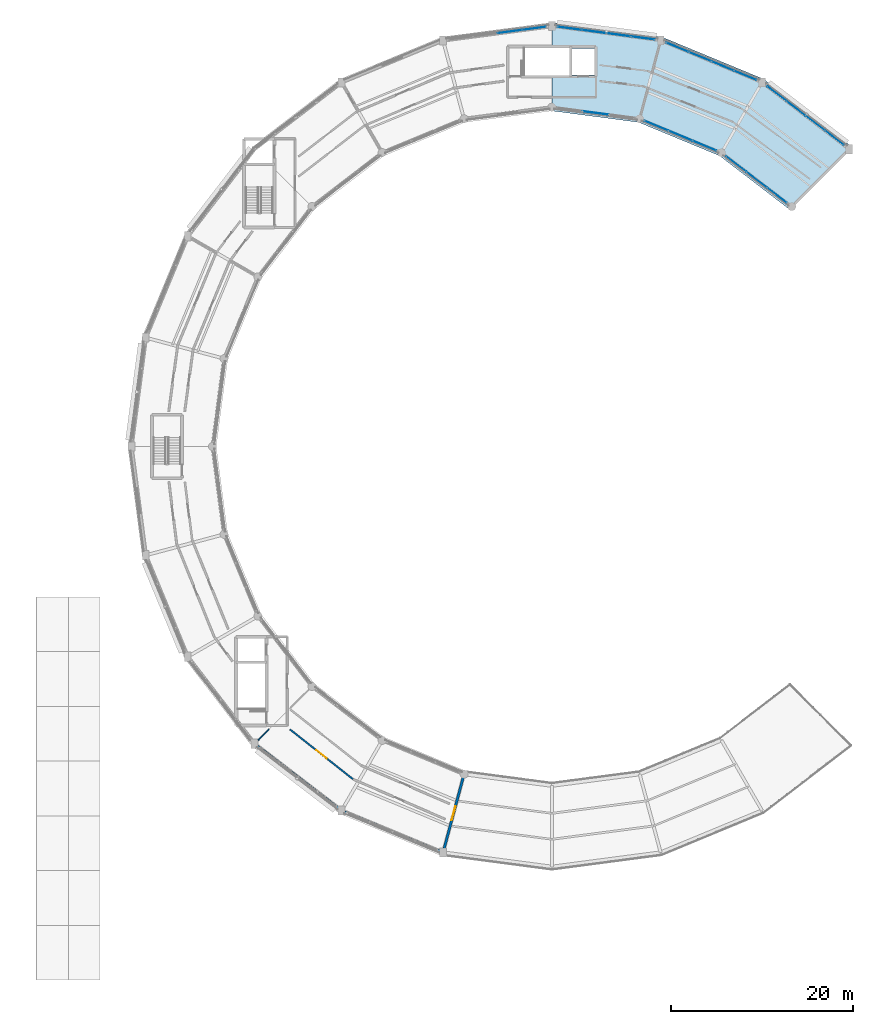
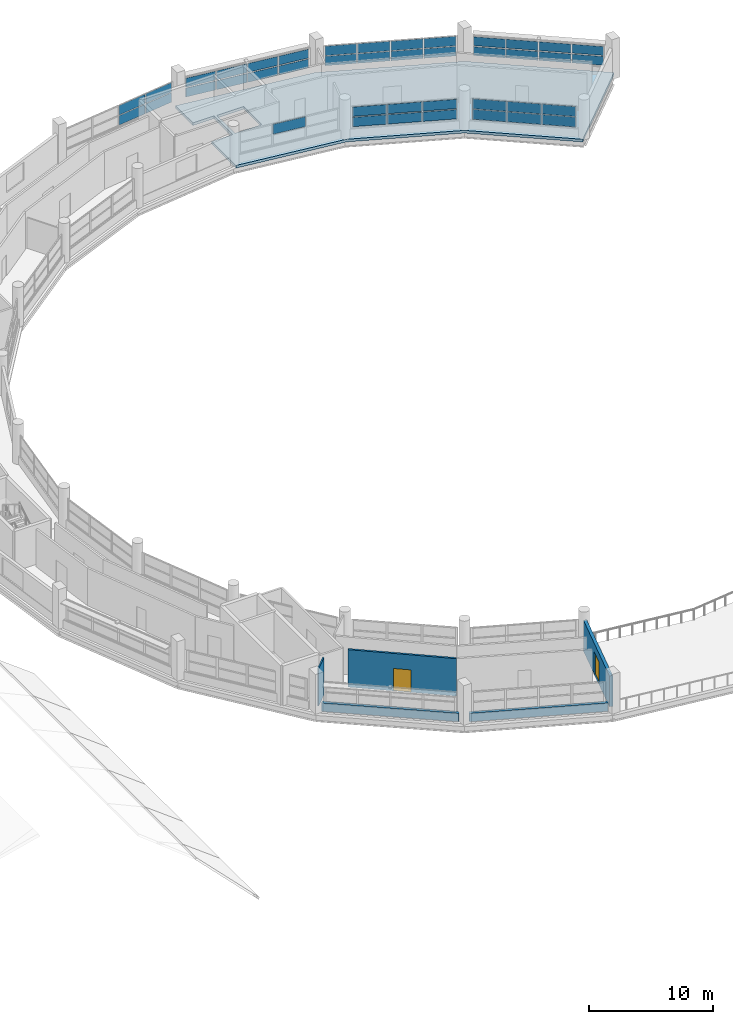
# One storey, part 44 of 53: 41 plates, 5 walls, 2 doors, 1 slab, 2 openings, 7 elements without a shape of their own.
"""IFC4 building model written with IfcOpenShell, lengths in metres."""

from ifc_helpers import new_model, si_unit, direction, frame, frame_2d, origin, origin_2d, place, context, subcontext, project, spatial, polyline, rectangle, outline, extrude, material, layer, layer_set, type_object, element, fill, aggregate, save


model = new_model("IFC4")

# Units and contexts
model_context = context("Model", 3, precision=1e-05, world=origin(), true_north=direction((0.0, 1.0)))
body_context = subcontext(model_context, "Body", "Model", "MODEL_VIEW")
ifc_project = project(units=[si_unit("LENGTHUNIT", "METRE"), si_unit("AREAUNIT", "SQUARE_METRE"), si_unit("VOLUMEUNIT", "CUBIC_METRE"), si_unit("PLANEANGLEUNIT", "RADIAN"), si_unit("MASSUNIT", "GRAM", prefix="KILO")], contexts=[model_context])

# Site, building, storey
site_placement = place(None, origin())
site = spatial("IfcSite", under=ifc_project, at=site_placement, CompositionType="ELEMENT")
building_placement = place(site_placement, origin())
building = spatial("IfcBuilding", under=site, at=building_placement, Name="Vespera Passage Community Centre", CompositionType="ELEMENT")
storey_placement = place(building_placement, frame((0.0, 0.0, 20.39990234375)))
storey = spatial("IfcBuildingStorey", under=building, at=storey_placement, Name="L05", CompositionType="ELEMENT", Elevation=20.39990234375)

# Curtain wall, plates
ifc_material_1 = material(Name="Anodized aluminium 6063-T6", Category="aluminium")
ifc_layer_1 = layer(ifc_material_1, 0.159912109375)
ifc_layer_set_1 = layer_set([ifc_layer_1], Name="Anodized aluminium 6063-T6")
curtain_wall_type_1 = type_object("IfcCurtainWallType", Name="CW-69E", PredefinedType="NOTDEFINED", material=ifc_layer_set_1)
curtain_wall_1_placement = place(storey_placement, origin())
curtain_wall_1 = element("IfcCurtainWall", 1, at=curtain_wall_1_placement, inside=storey, type_object=curtain_wall_type_1, Name="V4 L05 Outer Ribbon Curtain Wall 3", PredefinedType="NOTDEFINED")
ifc_material_2 = material(Name="Low-E insulated vision glass", Category="glass")
ifc_layer_2 = layer(ifc_material_2, 0.02001953125)
ifc_layer_set_2 = layer_set([ifc_layer_2], Name="Low-E insulated vision glass")
plate_type_1 = type_object("IfcPlateType", Name="PL-CWP-20E", PredefinedType="CURTAIN_PANEL", material=ifc_layer_set_2)
plate_1_placement = place(storey_placement, frame((102.66552734375, 104.18408203125, 0.919921875), z_axis=(0.0, 0.0, 1.0), x_axis=(0.793345363065, -0.608771824991, 0.0)))
plate_1 = element("IfcPlate", 2, at=plate_1_placement, type_object=plate_type_1, Name="CW-69E panel 1.1", PredefinedType="CURTAIN_PANEL", context=body_context, shape_type="SweptSolid", body=[
    extrude(rectangle(XDim=2.5673828125, YDim=0.02001953125, at=origin_2d()), origin(), (0.0, 0.0, 1.0), 0.872802734375),
])
plate_2_placement = place(storey_placement, frame((102.66552734375, 104.18408203125, 1.89306640625), z_axis=(0.0, 0.0, 1.0), x_axis=(0.793345363065, -0.608771824991, 0.0)))
plate_2 = element("IfcPlate", 3, at=plate_2_placement, type_object=plate_type_1, Name="CW-69E panel 1.2", PredefinedType="CURTAIN_PANEL", context=body_context, shape_type="SweptSolid", body=[
    extrude(rectangle(XDim=2.5673828125, YDim=0.02001953125, at=origin_2d()), origin(), (0.0, 0.0, 1.0), 0.872802734375),
])
plate_3_placement = place(storey_placement, frame((104.766845703125, 102.57177734375, 0.919921875), z_axis=(0.0, 0.0, 1.0), x_axis=(0.793345363065, -0.608771824991, 0.0)))
plate_3 = element("IfcPlate", 4, at=plate_3_placement, type_object=plate_type_1, Name="CW-69E panel 2.1", PredefinedType="CURTAIN_PANEL", context=body_context, shape_type="SweptSolid", body=[
    extrude(rectangle(XDim=2.599853515625, YDim=0.02001953125, at=origin_2d()), origin(), (0.0, 0.0, 1.0), 0.872802734375),
])
plate_4_placement = place(storey_placement, frame((104.766845703125, 102.57177734375, 1.89306640625), z_axis=(0.0, 0.0, 1.0), x_axis=(0.793345363065, -0.608771824991, 0.0)))
plate_4 = element("IfcPlate", 5, at=plate_4_placement, type_object=plate_type_1, Name="CW-69E panel 2.2", PredefinedType="CURTAIN_PANEL", context=body_context, shape_type="SweptSolid", body=[
    extrude(rectangle(XDim=2.599853515625, YDim=0.02001953125, at=origin_2d()), origin(), (0.0, 0.0, 1.0), 0.872802734375),
])
plate_5_placement = place(storey_placement, frame((106.880859375, 100.949462890625, 0.919921875), z_axis=(0.0, 0.0, 1.0), x_axis=(0.793345363065, -0.608771824991, 0.0)))
plate_5 = element("IfcPlate", 6, at=plate_5_placement, type_object=plate_type_1, Name="CW-69E panel 3.1", PredefinedType="CURTAIN_PANEL", context=body_context, shape_type="SweptSolid", body=[
    extrude(rectangle(XDim=2.599853515625, YDim=0.02001953125, at=origin_2d()), origin(), (0.0, 0.0, 1.0), 0.872802734375),
])
plate_6_placement = place(storey_placement, frame((106.880859375, 100.949462890625, 1.89306640625), z_axis=(0.0, 0.0, 1.0), x_axis=(0.793345363065, -0.608771824991, 0.0)))
plate_6 = element("IfcPlate", 7, at=plate_6_placement, type_object=plate_type_1, Name="CW-69E panel 3.2", PredefinedType="CURTAIN_PANEL", context=body_context, shape_type="SweptSolid", body=[
    extrude(rectangle(XDim=2.599853515625, YDim=0.02001953125, at=origin_2d()), origin(), (0.0, 0.0, 1.0), 0.872802734375),
])
plate_7_placement = place(storey_placement, frame((108.982177734375, 99.337158203125, 0.919921875), z_axis=(0.0, 0.0, 1.0), x_axis=(0.793345363065, -0.608771824991, 0.0)))
plate_7 = element("IfcPlate", 8, at=plate_7_placement, type_object=plate_type_1, Name="CW-69E panel 4.1", PredefinedType="CURTAIN_PANEL", context=body_context, shape_type="SweptSolid", body=[
    extrude(rectangle(XDim=2.5673828125, YDim=0.02001953125, at=origin_2d()), origin(), (0.0, 0.0, 1.0), 0.872802734375),
])
plate_8_placement = place(storey_placement, frame((108.982177734375, 99.337158203125, 1.89306640625), z_axis=(0.0, 0.0, 1.0), x_axis=(0.793345363065, -0.608771824991, 0.0)))
plate_8 = element("IfcPlate", 9, at=plate_8_placement, type_object=plate_type_1, Name="CW-69E panel 4.2", PredefinedType="CURTAIN_PANEL", context=body_context, shape_type="SweptSolid", body=[
    extrude(rectangle(XDim=2.5673828125, YDim=0.02001953125, at=origin_2d()), origin(), (0.0, 0.0, 1.0), 0.872802734375),
])
aggregate(curtain_wall_1, [plate_1, plate_2, plate_3, plate_4, plate_5, plate_6, plate_7, plate_8])

ifc_material_3 = material(Name="Anodized aluminium 6063-T6", Category="aluminium")
ifc_layer_3 = layer(ifc_material_3, 0.159912109375)
ifc_layer_set_3 = layer_set([ifc_layer_3], Name="Anodized aluminium 6063-T6")
curtain_wall_type_2 = type_object("IfcCurtainWallType", Name="CW-70E", PredefinedType="NOTDEFINED", material=ifc_layer_set_3)
curtain_wall_2_placement = place(storey_placement, origin())
curtain_wall_2 = element("IfcCurtainWall", 10, at=curtain_wall_2_placement, inside=storey, type_object=curtain_wall_type_2, Name="V4 L05 Inner Court Curtain Wall 3", PredefinedType="NOTDEFINED")
plate_9_placement = place(storey_placement, frame((102.691650390625, 93.041748046875, 0.880126953125), z_axis=(0.0, 0.0, 1.0), x_axis=(-0.793358205999, 0.608755087843, 0.0)))
plate_9 = element("IfcPlate", 11, at=plate_9_placement, type_object=plate_type_1, Name="CW-70E panel 1.1", PredefinedType="CURTAIN_PANEL", context=body_context, shape_type="SweptSolid", body=[
    extrude(rectangle(XDim=2.72900390625, YDim=0.02001953125, at=origin_2d()), origin(), (0.0, 0.0, 1.0), 0.974609375),
])
plate_10_placement = place(storey_placement, frame((102.691650390625, 93.041748046875, 1.91455078125), z_axis=(0.0, 0.0, 1.0), x_axis=(-0.793358205999, 0.608755087843, 0.0)))
plate_10 = element("IfcPlate", 12, at=plate_10_placement, type_object=plate_type_1, Name="CW-70E panel 1.2", PredefinedType="CURTAIN_PANEL", context=body_context, shape_type="SweptSolid", body=[
    extrude(rectangle(XDim=2.72900390625, YDim=0.02001953125, at=origin_2d()), origin(), (0.0, 0.0, 1.0), 0.974853515625),
])
plate_11_placement = place(storey_placement, frame((100.4521484375, 94.76025390625, 0.880126953125), z_axis=(0.0, 0.0, 1.0), x_axis=(-0.793358205999, 0.608755087843, 0.0)))
plate_11 = element("IfcPlate", 13, at=plate_11_placement, type_object=plate_type_1, Name="CW-70E panel 2.1", PredefinedType="CURTAIN_PANEL", context=body_context, shape_type="SweptSolid", body=[
    extrude(rectangle(XDim=2.7666015625, YDim=0.02001953125, at=origin_2d()), origin(), (0.0, 0.0, 1.0), 0.974609375),
])
plate_12_placement = place(storey_placement, frame((100.4521484375, 94.76025390625, 1.91455078125), z_axis=(0.0, 0.0, 1.0), x_axis=(-0.793358205999, 0.608755087843, 0.0)))
plate_12 = element("IfcPlate", 14, at=plate_12_placement, type_object=plate_type_1, Name="CW-70E panel 2.2", PredefinedType="CURTAIN_PANEL", context=body_context, shape_type="SweptSolid", body=[
    extrude(rectangle(XDim=2.7666015625, YDim=0.02001953125, at=origin_2d()), origin(), (0.0, 0.0, 1.0), 0.974853515625),
])
plate_13_placement = place(storey_placement, frame((98.212646484375, 96.478759765625, 0.880126953125), z_axis=(0.0, 0.0, 1.0), x_axis=(-0.793358205999, 0.608755087843, 0.0)))
plate_13 = element("IfcPlate", 15, at=plate_13_placement, type_object=plate_type_1, Name="CW-70E panel 3.1", PredefinedType="CURTAIN_PANEL", context=body_context, shape_type="SweptSolid", body=[
    extrude(rectangle(XDim=2.72900390625, YDim=0.02001953125, at=origin_2d()), origin(), (0.0, 0.0, 1.0), 0.974609375),
])
plate_14_placement = place(storey_placement, frame((98.212646484375, 96.478759765625, 1.91455078125), z_axis=(0.0, 0.0, 1.0), x_axis=(-0.793358205999, 0.608755087843, 0.0)))
plate_14 = element("IfcPlate", 16, at=plate_14_placement, type_object=plate_type_1, Name="CW-70E panel 3.2", PredefinedType="CURTAIN_PANEL", context=body_context, shape_type="SweptSolid", body=[
    extrude(rectangle(XDim=2.72900390625, YDim=0.02001953125, at=origin_2d()), origin(), (0.0, 0.0, 1.0), 0.974853515625),
])
aggregate(curtain_wall_2, [plate_9, plate_10, plate_11, plate_12, plate_13, plate_14])

ifc_material_4 = material(Name="Anodized aluminium 6063-T6", Category="aluminium")
ifc_layer_4 = layer(ifc_material_4, 0.159912109375)
ifc_layer_set_4 = layer_set([ifc_layer_4], Name="Anodized aluminium 6063-T6")
curtain_wall_type_3 = type_object("IfcCurtainWallType", Name="CW-75E", PredefinedType="NOTDEFINED", material=ifc_layer_set_4)
curtain_wall_3_placement = place(storey_placement, origin())
curtain_wall_3 = element("IfcCurtainWall", 17, at=curtain_wall_3_placement, inside=storey, type_object=curtain_wall_type_3, Name="V4 L05 Outer Ribbon Curtain Wall 6", PredefinedType="NOTDEFINED")
plate_15_placement = place(storey_placement, frame((73.378662109375, 110.99169921875, 0.8798828125), z_axis=(0.0, 0.0, 1.0), x_axis=(0.991444252276, 0.130530818696, 0.0)))
plate_15 = element("IfcPlate", 18, at=plate_15_placement, type_object=plate_type_1, Name="CW-75E panel 3.1", PredefinedType="CURTAIN_PANEL", context=body_context, shape_type="SweptSolid", body=[
    extrude(rectangle(XDim=2.64697265625, YDim=0.02001953125, at=origin_2d()), origin(), (0.0, 0.0, 1.0), 0.932861328125),
])
plate_16_placement = place(storey_placement, frame((73.378662109375, 110.99169921875, 1.873046875), z_axis=(0.0, 0.0, 1.0), x_axis=(0.991444252276, 0.130530818696, 0.0)))
plate_16 = element("IfcPlate", 19, at=plate_16_placement, type_object=plate_type_1, Name="CW-75E panel 3.2", PredefinedType="CURTAIN_PANEL", context=body_context, shape_type="SweptSolid", body=[
    extrude(rectangle(XDim=2.64697265625, YDim=0.02001953125, at=origin_2d()), origin(), (0.0, 0.0, 1.0), 0.932861328125),
])
plate_17_placement = place(storey_placement, frame((76.05126953125, 111.343505859375, 0.8798828125), z_axis=(0.0, 0.0, 1.0), x_axis=(0.991444252276, 0.130530818696, 0.0)))
plate_17 = element("IfcPlate", 20, at=plate_17_placement, type_object=plate_type_1, Name="CW-75E panel 4.1", PredefinedType="CURTAIN_PANEL", context=body_context, shape_type="SweptSolid", body=[
    extrude(rectangle(XDim=2.614501953125, YDim=0.02001953125, at=origin_2d()), origin(), (0.0, 0.0, 1.0), 0.932861328125),
])
plate_18_placement = place(storey_placement, frame((76.05126953125, 111.343505859375, 1.873046875), z_axis=(0.0, 0.0, 1.0), x_axis=(0.991444252276, 0.130530818696, 0.0)))
plate_18 = element("IfcPlate", 21, at=plate_18_placement, type_object=plate_type_1, Name="CW-75E panel 4.2", PredefinedType="CURTAIN_PANEL", context=body_context, shape_type="SweptSolid", body=[
    extrude(rectangle(XDim=2.614501953125, YDim=0.02001953125, at=origin_2d()), origin(), (0.0, 0.0, 1.0), 0.932861328125),
])
aggregate(curtain_wall_3, [plate_15, plate_16, plate_17, plate_18])

ifc_material_5 = material(Name="Anodized aluminium 6063-T6", Category="aluminium")
ifc_layer_5 = layer(ifc_material_5, 0.159912109375)
ifc_layer_set_5 = layer_set([ifc_layer_5], Name="Anodized aluminium 6063-T6")
curtain_wall_type_4 = type_object("IfcCurtainWallType", Name="CW-71E", PredefinedType="NOTDEFINED", material=ifc_layer_set_5)
curtain_wall_4_placement = place(storey_placement, origin())
curtain_wall_4 = element("IfcCurtainWall", 22, at=curtain_wall_4_placement, inside=storey, type_object=curtain_wall_type_4, Name="V4 L05 Outer Ribbon Curtain Wall 4", PredefinedType="NOTDEFINED")
ifc_material_6 = material(Name="Low-E insulated vision glass", Category="glass")
ifc_layer_6 = layer(ifc_material_6, 0.028076171875)
ifc_layer_set_6 = layer_set([ifc_layer_6], Name="Low-E insulated vision glass")
plate_type_2 = type_object("IfcPlateType", Name="PL-CWP-28E", PredefinedType="CURTAIN_PANEL", material=ifc_layer_set_6)
plate_19_placement = place(storey_placement, frame((91.76904296875, 109.26806640625, 0.8798828125), z_axis=(0.0, 0.0, 1.0), x_axis=(0.923879738007, -0.382682936255, 0.0)))
plate_19 = element("IfcPlate", 23, at=plate_19_placement, type_object=plate_type_2, Name="CW-71E panel 1.1", PredefinedType="CURTAIN_PANEL", context=body_context, shape_type="SweptSolid", body=[
    extrude(rectangle(XDim=2.585693359375, YDim=0.028076171875, at=origin_2d()), origin(), (0.0, 0.0, 1.0), 0.932861328125),
])
plate_20_placement = place(storey_placement, frame((91.76904296875, 109.26806640625, 1.873046875), z_axis=(0.0, 0.0, 1.0), x_axis=(0.923879738007, -0.382682936255, 0.0)))
plate_20 = element("IfcPlate", 24, at=plate_20_placement, type_object=plate_type_2, Name="CW-71E panel 1.2", PredefinedType="CURTAIN_PANEL", context=body_context, shape_type="SweptSolid", body=[
    extrude(rectangle(XDim=2.585693359375, YDim=0.028076171875, at=origin_2d()), origin(), (0.0, 0.0, 1.0), 0.932861328125),
])
plate_21_placement = place(storey_placement, frame((94.244384765625, 108.24267578125, 0.8798828125), z_axis=(0.0, 0.0, 1.0), x_axis=(0.923879738007, -0.382682936255, 0.0)))
plate_21 = element("IfcPlate", 25, at=plate_21_placement, type_object=plate_type_2, Name="CW-71E panel 2.1", PredefinedType="CURTAIN_PANEL", context=body_context, shape_type="SweptSolid", body=[
    extrude(rectangle(XDim=2.623291015625, YDim=0.028076171875, at=origin_2d()), origin(), (0.0, 0.0, 1.0), 0.932861328125),
])
plate_22_placement = place(storey_placement, frame((94.244384765625, 108.24267578125, 1.873046875), z_axis=(0.0, 0.0, 1.0), x_axis=(0.923879738007, -0.382682936255, 0.0)))
plate_22 = element("IfcPlate", 26, at=plate_22_placement, type_object=plate_type_2, Name="CW-71E panel 2.2", PredefinedType="CURTAIN_PANEL", context=body_context, shape_type="SweptSolid", body=[
    extrude(rectangle(XDim=2.623291015625, YDim=0.028076171875, at=origin_2d()), origin(), (0.0, 0.0, 1.0), 0.932861328125),
])
plate_23_placement = place(storey_placement, frame((96.7373046875, 107.210205078125, 0.8798828125), z_axis=(0.0, 0.0, 1.0), x_axis=(0.923879738007, -0.382682936255, 0.0)))
plate_23 = element("IfcPlate", 27, at=plate_23_placement, type_object=plate_type_2, Name="CW-71E panel 3.1", PredefinedType="CURTAIN_PANEL", context=body_context, shape_type="SweptSolid", body=[
    extrude(rectangle(XDim=2.623291015625, YDim=0.028076171875, at=origin_2d()), origin(), (0.0, 0.0, 1.0), 0.932861328125),
])
plate_24_placement = place(storey_placement, frame((96.7373046875, 107.210205078125, 1.873046875), z_axis=(0.0, 0.0, 1.0), x_axis=(0.923879738007, -0.382682936255, 0.0)))
plate_24 = element("IfcPlate", 28, at=plate_24_placement, type_object=plate_type_2, Name="CW-71E panel 3.2", PredefinedType="CURTAIN_PANEL", context=body_context, shape_type="SweptSolid", body=[
    extrude(rectangle(XDim=2.623291015625, YDim=0.028076171875, at=origin_2d()), origin(), (0.0, 0.0, 1.0), 0.932861328125),
])
plate_25_placement = place(storey_placement, frame((99.212646484375, 106.184814453125, 0.8798828125), z_axis=(0.0, 0.0, 1.0), x_axis=(0.923879738007, -0.382682936255, 0.0)))
plate_25 = element("IfcPlate", 29, at=plate_25_placement, type_object=plate_type_2, Name="CW-71E panel 4.1", PredefinedType="CURTAIN_PANEL", context=body_context, shape_type="SweptSolid", body=[
    extrude(rectangle(XDim=2.585693359375, YDim=0.028076171875, at=origin_2d()), origin(), (0.0, 0.0, 1.0), 0.932861328125),
])
plate_26_placement = place(storey_placement, frame((99.212646484375, 106.184814453125, 1.873046875), z_axis=(0.0, 0.0, 1.0), x_axis=(0.923879738007, -0.382682936255, 0.0)))
plate_26 = element("IfcPlate", 30, at=plate_26_placement, type_object=plate_type_2, Name="CW-71E panel 4.2", PredefinedType="CURTAIN_PANEL", context=body_context, shape_type="SweptSolid", body=[
    extrude(rectangle(XDim=2.585693359375, YDim=0.028076171875, at=origin_2d()), origin(), (0.0, 0.0, 1.0), 0.932861328125),
])
aggregate(curtain_wall_4, [plate_19, plate_20, plate_21, plate_22, plate_23, plate_24, plate_25, plate_26])

ifc_material_7 = material(Name="Anodized aluminium 6063-T6", Category="aluminium")
ifc_layer_7 = layer(ifc_material_7, 0.159912109375)
ifc_layer_set_7 = layer_set([ifc_layer_7], Name="Anodized aluminium 6063-T6")
curtain_wall_type_5 = type_object("IfcCurtainWallType", Name="CW-72E", PredefinedType="NOTDEFINED", material=ifc_layer_set_7)
curtain_wall_5_placement = place(storey_placement, origin())
curtain_wall_5 = element("IfcCurtainWall", 31, at=curtain_wall_5_placement, inside=storey, type_object=curtain_wall_type_5, Name="V4 L05 Inner Court Curtain Wall 4", PredefinedType="NOTDEFINED")
plate_27_placement = place(storey_placement, frame((94.7548828125, 98.480224609375, 0.919921875), z_axis=(0.0, 0.0, 1.0), x_axis=(-0.923876620096, 0.382690463482, 0.0)))
plate_27 = element("IfcPlate", 32, at=plate_27_placement, type_object=plate_type_2, Name="CW-72E panel 1.1", PredefinedType="CURTAIN_PANEL", context=body_context, shape_type="SweptSolid", body=[
    extrude(rectangle(XDim=2.7646484375, YDim=0.028076171875, at=origin_2d()), origin(), (0.0, 0.0, 1.0), 0.914794921875),
])
plate_28_placement = place(storey_placement, frame((94.7548828125, 98.480224609375, 1.9345703125), z_axis=(0.0, 0.0, 1.0), x_axis=(-0.923876620096, 0.382690463482, 0.0)))
plate_28 = element("IfcPlate", 33, at=plate_28_placement, type_object=plate_type_2, Name="CW-72E panel 1.2", PredefinedType="CURTAIN_PANEL", context=body_context, shape_type="SweptSolid", body=[
    extrude(rectangle(XDim=2.7646484375, YDim=0.028076171875, at=origin_2d()), origin(), (0.0, 0.0, 1.0), 0.914794921875),
])
plate_29_placement = place(storey_placement, frame((92.114013671875, 99.57421875, 0.919921875), z_axis=(0.0, 0.0, 1.0), x_axis=(-0.923876620096, 0.382690463482, 0.0)))
plate_29 = element("IfcPlate", 34, at=plate_29_placement, type_object=plate_type_2, Name="CW-72E panel 2.1", PredefinedType="CURTAIN_PANEL", context=body_context, shape_type="SweptSolid", body=[
    extrude(rectangle(XDim=2.80224609375, YDim=0.028076171875, at=origin_2d()), origin(), (0.0, 0.0, 1.0), 0.914794921875),
])
plate_30_placement = place(storey_placement, frame((92.114013671875, 99.57421875, 1.9345703125), z_axis=(0.0, 0.0, 1.0), x_axis=(-0.923876620096, 0.382690463482, 0.0)))
plate_30 = element("IfcPlate", 35, at=plate_30_placement, type_object=plate_type_2, Name="CW-72E panel 2.2", PredefinedType="CURTAIN_PANEL", context=body_context, shape_type="SweptSolid", body=[
    extrude(rectangle(XDim=2.80224609375, YDim=0.028076171875, at=origin_2d()), origin(), (0.0, 0.0, 1.0), 0.914794921875),
])
plate_31_placement = place(storey_placement, frame((89.47314453125, 100.668212890625, 0.919921875), z_axis=(0.0, 0.0, 1.0), x_axis=(-0.923876620096, 0.382690463482, 0.0)))
plate_31 = element("IfcPlate", 36, at=plate_31_placement, type_object=plate_type_2, Name="CW-72E panel 3.1", PredefinedType="CURTAIN_PANEL", context=body_context, shape_type="SweptSolid", body=[
    extrude(rectangle(XDim=2.7646484375, YDim=0.028076171875, at=origin_2d()), origin(), (0.0, 0.0, 1.0), 0.914794921875),
])
plate_32_placement = place(storey_placement, frame((89.47314453125, 100.668212890625, 1.9345703125), z_axis=(0.0, 0.0, 1.0), x_axis=(-0.923876620096, 0.382690463482, 0.0)))
plate_32 = element("IfcPlate", 37, at=plate_32_placement, type_object=plate_type_2, Name="CW-72E panel 3.2", PredefinedType="CURTAIN_PANEL", context=body_context, shape_type="SweptSolid", body=[
    extrude(rectangle(XDim=2.7646484375, YDim=0.028076171875, at=origin_2d()), origin(), (0.0, 0.0, 1.0), 0.914794921875),
])
aggregate(curtain_wall_5, [plate_27, plate_28, plate_29, plate_30, plate_31, plate_32])

ifc_material_8 = material(Name="Anodized aluminium 6063-T6", Category="aluminium")
ifc_layer_8 = layer(ifc_material_8, 0.159912109375)
ifc_layer_set_8 = layer_set([ifc_layer_8], Name="Anodized aluminium 6063-T6")
curtain_wall_type_6 = type_object("IfcCurtainWallType", Name="CW-73E", PredefinedType="NOTDEFINED", material=ifc_layer_set_8)
curtain_wall_6_placement = place(storey_placement, origin())
curtain_wall_6 = element("IfcCurtainWall", 38, at=curtain_wall_6_placement, inside=storey, type_object=curtain_wall_type_6, Name="V4 L05 Outer Ribbon Curtain Wall 5", PredefinedType="NOTDEFINED")
ifc_material_9 = material(Name="Acoustic triple-glazed vision glass", Category="glass")
ifc_layer_9 = layer(ifc_material_9, 0.035888671875)
ifc_layer_set_9 = layer_set([ifc_layer_9], Name="Acoustic triple-glazed vision glass")
plate_type_3 = type_object("IfcPlateType", Name="PL-CWP-36E", PredefinedType="CURTAIN_PANEL", material=ifc_layer_set_9)
plate_33_placement = place(storey_placement, frame((79.951171875, 111.34326171875, 0.919921875), z_axis=(0.0, 0.0, 1.0), x_axis=(0.991444252276, -0.130530818696, 0.0)))
plate_33 = element("IfcPlate", 39, at=plate_33_placement, type_object=plate_type_3, Name="CW-73E panel 1.1", PredefinedType="CURTAIN_PANEL", context=body_context, shape_type="SweptSolid", body=[
    extrude(rectangle(XDim=2.599609375, YDim=0.035888671875, at=origin_2d()), origin(), (0.0, 0.0, 1.0), 0.872802734375),
])
plate_34_placement = place(storey_placement, frame((79.951171875, 111.34326171875, 1.89306640625), z_axis=(0.0, 0.0, 1.0), x_axis=(0.991444252276, -0.130530818696, 0.0)))
plate_34 = element("IfcPlate", 40, at=plate_34_placement, type_object=plate_type_3, Name="CW-73E panel 1.2", PredefinedType="CURTAIN_PANEL", context=body_context, shape_type="SweptSolid", body=[
    extrude(rectangle(XDim=2.599609375, YDim=0.035888671875, at=origin_2d()), origin(), (0.0, 0.0, 1.0), 0.872802734375),
])
plate_35_placement = place(storey_placement, frame((82.621337890625, 110.99169921875, 0.919921875), z_axis=(0.0, 0.0, 1.0), x_axis=(0.991444252276, -0.130530818696, 0.0)))
plate_35 = element("IfcPlate", 41, at=plate_35_placement, type_object=plate_type_3, Name="CW-73E panel 2.1", PredefinedType="CURTAIN_PANEL", context=body_context, shape_type="SweptSolid", body=[
    extrude(rectangle(XDim=2.636962890625, YDim=0.035888671875, at=origin_2d()), origin(), (0.0, 0.0, 1.0), 0.872802734375),
])
plate_36_placement = place(storey_placement, frame((82.621337890625, 110.99169921875, 1.89306640625), z_axis=(0.0, 0.0, 1.0), x_axis=(0.991444252276, -0.130530818696, 0.0)))
plate_36 = element("IfcPlate", 42, at=plate_36_placement, type_object=plate_type_3, Name="CW-73E panel 2.2", PredefinedType="CURTAIN_PANEL", context=body_context, shape_type="SweptSolid", body=[
    extrude(rectangle(XDim=2.636962890625, YDim=0.035888671875, at=origin_2d()), origin(), (0.0, 0.0, 1.0), 0.872802734375),
])
plate_37_placement = place(storey_placement, frame((85.310302734375, 110.6376953125, 0.919921875), z_axis=(0.0, 0.0, 1.0), x_axis=(0.991444252276, -0.130530818696, 0.0)))
plate_37 = element("IfcPlate", 43, at=plate_37_placement, type_object=plate_type_3, Name="CW-73E panel 3.1", PredefinedType="CURTAIN_PANEL", context=body_context, shape_type="SweptSolid", body=[
    extrude(rectangle(XDim=2.636962890625, YDim=0.035888671875, at=origin_2d()), origin(), (0.0, 0.0, 1.0), 0.872802734375),
])
plate_38_placement = place(storey_placement, frame((85.310302734375, 110.6376953125, 1.89306640625), z_axis=(0.0, 0.0, 1.0), x_axis=(0.991444252276, -0.130530818696, 0.0)))
plate_38 = element("IfcPlate", 44, at=plate_38_placement, type_object=plate_type_3, Name="CW-73E panel 3.2", PredefinedType="CURTAIN_PANEL", context=body_context, shape_type="SweptSolid", body=[
    extrude(rectangle(XDim=2.636962890625, YDim=0.035888671875, at=origin_2d()), origin(), (0.0, 0.0, 1.0), 0.872802734375),
])
plate_39_placement = place(storey_placement, frame((87.98046875, 110.2861328125, 0.919921875), z_axis=(0.0, 0.0, 1.0), x_axis=(0.991444252276, -0.130530818696, 0.0)))
plate_39 = element("IfcPlate", 45, at=plate_39_placement, type_object=plate_type_3, Name="CW-73E panel 4.1", PredefinedType="CURTAIN_PANEL", context=body_context, shape_type="SweptSolid", body=[
    extrude(rectangle(XDim=2.599609375, YDim=0.035888671875, at=origin_2d()), origin(), (0.0, 0.0, 1.0), 0.872802734375),
])
plate_40_placement = place(storey_placement, frame((87.98046875, 110.2861328125, 1.89306640625), z_axis=(0.0, 0.0, 1.0), x_axis=(0.991444252276, -0.130530818696, 0.0)))
plate_40 = element("IfcPlate", 46, at=plate_40_placement, type_object=plate_type_3, Name="CW-73E panel 4.2", PredefinedType="CURTAIN_PANEL", context=body_context, shape_type="SweptSolid", body=[
    extrude(rectangle(XDim=2.599609375, YDim=0.035888671875, at=origin_2d()), origin(), (0.0, 0.0, 1.0), 0.872802734375),
])
aggregate(curtain_wall_6, [plate_33, plate_34, plate_35, plate_36, plate_37, plate_38, plate_39, plate_40])

# Curtain wall, plate
ifc_material_10 = material(Name="Anodized aluminium 6063-T6", Category="aluminium")
ifc_layer_10 = layer(ifc_material_10, 0.159912109375)
ifc_layer_set_10 = layer_set([ifc_layer_10], Name="Anodized aluminium 6063-T6")
curtain_wall_type_7 = type_object("IfcCurtainWallType", Name="CW-74E", PredefinedType="NOTDEFINED", material=ifc_layer_set_10)
curtain_wall_7_placement = place(storey_placement, origin())
curtain_wall_7 = element("IfcCurtainWall", 47, at=curtain_wall_7_placement, inside=storey, type_object=curtain_wall_type_7, Name="V4 L05 Inner Court Curtain Wall 5", PredefinedType="NOTDEFINED")
plate_41_placement = place(storey_placement, frame((82.81396484375, 102.066162109375, 1.91455078125), z_axis=(0.0, 0.0, 1.0), x_axis=(-0.991445387728, 0.1305221941, 0.0)))
plate_41 = element("IfcPlate", 48, at=plate_41_placement, type_object=plate_type_3, Name="CW-74E panel 2.2", PredefinedType="CURTAIN_PANEL", context=body_context, shape_type="SweptSolid", body=[
    extrude(rectangle(XDim=2.826904296875, YDim=0.035888671875, at=origin_2d()), origin(), (0.0, 0.0, 1.0), 0.974853515625),
])
aggregate(curtain_wall_7, [plate_41])

# Slab
ifc_material_11 = material(Name="Concrete f'c 35 MPa", Category="concrete")
ifc_layer_11 = layer(ifc_material_11, 0.260009765625)
ifc_layer_set_11 = layer_set([ifc_layer_11], Name="Concrete f'c 35 MPa")
slab_type = type_object("IfcSlabType", Name="SL-UPPER-260", PredefinedType="FLOOR", material=ifc_layer_set_11)
slab_placement = place(storey_placement, frame((0.0, 0.0, -0.260009765625)))
element("IfcSlab", 49, at=slab_placement, inside=storey, type_object=slab_type, Name="V4 L05 Interior Sector 1 Slab", PredefinedType="FLOOR", context=body_context, shape_type="SweptSolid", body=[
    extrude(outline(polyline([(90.03515625, 110.41552734375), (101.25, 105.770263671875), (110.880615234375, 98.380615234375), (104.021484375, 91.521484375), (96.39990234375, 97.36962890625), (87.5244140625, 101.046142578125), (78.0, 102.300048828125), (78.0, 106.199951171875), (79.955078125, 106.199951171875), (79.955078125, 109.199951171875), (78.0, 109.199951171875), (78.0, 112.0), (90.03515625, 110.41552734375)]), holes=[polyline([(82.695068359375, 106.25), (82.695068359375, 109.14990234375), (80.195068359375, 109.14990234375), (80.195068359375, 106.25), (82.695068359375, 106.25)])]), origin(), (0.0, 0.0, 1.0), 0.260009765625),
])

# Wall, opening, door
ifc_material_12 = material(Name="Gypsum board acoustic stud partition")
ifc_layer_12 = layer(ifc_material_12, 0.179931640625)
ifc_layer_set_12 = layer_set([ifc_layer_12], Name="Gypsum board acoustic stud partition")
wall_type_1 = type_object("IfcWallType", Name="WT-CORR-180I", PredefinedType="PARTITIONING", material=ifc_layer_set_12)
wall_1_placement = place(storey_placement, frame((49.279541015625, 34.47998046875, 0.0), z_axis=(0.0, 0.0, 1.0), x_axis=(0.784933074796, -0.619580558193, 0.0)))
wall_1 = element("IfcWall", 50, at=wall_1_placement, inside=storey, type_object=wall_type_1, Name="L05 Interior Partition V4-L05-CO13.1", PredefinedType="PARTITIONING", context=body_context, shape_type="SweptSolid", body=[
    extrude(rectangle(XDim=8.819091796875, YDim=0.179931640625, at=frame_2d((4.40966796875, 0.0))), origin(), (0.0, 0.0, 1.0), 3.675048828125),
])
opening_1_placement = place(wall_1_placement, frame((3.6845703125, 0.0, 0.0)))
opening_1 = element("IfcOpeningElement", 51, at=opening_1_placement, cuts=wall_1, Name="Opening DT-PLANT-145", PredefinedType="OPENING", context=body_context, shape_type="SweptSolid", body=[
    extrude(rectangle(XDim=1.449951171875, YDim=2.199951171875, at=frame_2d((0.72509765625, 1.10009765625))), frame((0.0, 0.099853515625, 0.0), z_axis=(0.0, -1.0, 0.0), x_axis=(1.0, 0.0, 0.0)), (0.0, 0.0, 1.0), 0.199951171875),
])
ifc_material_13 = material(Name="Painted hollow-metal acoustic door", Category="steel")
door_type_1 = type_object("IfcDoorType", Name="DT-PLANT-145", OperationType="NOTDEFINED", PredefinedType="DOOR", material=ifc_material_13)
door_1_placement = place(opening_1_placement, origin())
door_1 = element("IfcDoor", 52, at=door_1_placement, inside=storey, type_object=door_type_1, Name="L05 Interior Door D-320", OperationType="SINGLE_SWING_RIGHT", OverallHeight=2.199951171875, OverallWidth=1.449951171875, PredefinedType="DOOR", context=body_context, shape_type="SweptSolid", body=[
    extrude(rectangle(XDim=1.449951171875, YDim=2.199951171875, at=frame_2d((0.72509765625, 1.10009765625))), frame((0.0, 0.02490234375, 0.0), z_axis=(0.0, -1.0, 0.0), x_axis=(1.0, 0.0, 0.0)), (0.0, 0.0, 1.0), 0.050048828125),
])
fill(opening_1, door_1)

# Walls
ifc_material_14 = material(Name="Precast concrete f'c 40 MPa", Category="concrete")
ifc_layer_13 = layer(ifc_material_14, 0.280029296875)
ifc_layer_set_13 = layer_set([ifc_layer_13], Name="Precast concrete f'c 40 MPa")
wall_type_2 = type_object("IfcWallType", Name="WT-EXT-280E", PredefinedType="STANDARD", material=ifc_layer_set_13)
wall_2_placement = place(storey_placement, frame((54.5947265625, 25.8486328125, 0.0), z_axis=(0.0, 0.0, 1.0), x_axis=(-0.793342066679, 0.608776120785, 0.0)))
element("IfcWall", 53, at=wall_2_placement, inside=storey, type_object=wall_type_2, Name="V4 L05 Spandrel Wall O15", PredefinedType="STANDARD", context=body_context, shape_type="SweptSolid", body=[
    extrude(rectangle(XDim=11.13916015625, YDim=0.280029296875, at=frame_2d((5.569580078125, 0.0))), origin(), (0.0, 0.0, 1.0), 0.820068359375),
])
wall_3_placement = place(storey_placement, frame((65.716552734375, 21.11669921875, 0.0), z_axis=(0.0, 0.0, 1.0), x_axis=(-0.923883530636, 0.382673779896, 0.0)))
element("IfcWall", 54, at=wall_3_placement, inside=storey, type_object=wall_type_2, Name="V4 L05 Spandrel Wall O16", PredefinedType="STANDARD", context=body_context, shape_type="SweptSolid", body=[
    extrude(rectangle(XDim=11.2724609375, YDim=0.280029296875, at=frame_2d((5.63623046875, 0.0))), origin(), (0.0, 0.0, 1.0), 0.820068359375),
])

# Wall, opening, door
wall_4_placement = place(storey_placement, frame((68.298095703125, 29.291748046875, 0.0), z_axis=(0.0, 0.0, 1.0), x_axis=(-0.25884677163, -0.965918396562, 0.0)))
wall_4 = element("IfcWall", 55, at=wall_4_placement, inside=storey, type_object=wall_type_2, Name="V4 L05 Radial End Facade Wall END", PredefinedType="STANDARD", context=body_context, shape_type="SweptSolid", body=[
    extrude(rectangle(XDim=8.121826171875, YDim=0.280029296875, at=frame_2d((4.06103515625, 0.0))), origin(), (0.0, 0.0, 1.0), 3.03662109375),
])
opening_2_placement = place(wall_4_placement, frame((3.33935546875, 0.0, 0.0)))
opening_2 = element("IfcOpeningElement", 56, at=opening_2_placement, cuts=wall_4, Name="Opening DT-E04", PredefinedType="OPENING", context=body_context, shape_type="SweptSolid", body=[
    extrude(rectangle(XDim=1.60009765625, YDim=2.199951171875, at=frame_2d((0.800048828125, 1.10009765625))), frame((0.0, 0.150146484375, 0.0), z_axis=(0.0, -1.0, 0.0), x_axis=(1.0, 0.0, 0.0)), (0.0, 0.0, 1.0), 0.300048828125),
])
ifc_material_15 = material(Name="Anodized aluminium 6063-T6", Category="aluminium")
door_type_2 = type_object("IfcDoorType", Name="DT-E04", OperationType="NOTDEFINED", PredefinedType="DOOR", material=ifc_material_15)
door_2_placement = place(opening_2_placement, origin())
door_2 = element("IfcDoor", 57, at=door_2_placement, inside=storey, type_object=door_type_2, Name="L05 South Sky Terrace Access Door END", OperationType="SINGLE_SWING_LEFT", OverallHeight=2.199951171875, OverallWidth=1.60009765625, PredefinedType="DOOR", context=body_context, shape_type="SweptSolid", body=[
    extrude(rectangle(XDim=1.60009765625, YDim=2.199951171875, at=frame_2d((0.800048828125, 1.10009765625))), frame((0.0, 0.02490234375, 0.0), z_axis=(0.0, -1.0, 0.0), x_axis=(1.0, 0.0, 0.0)), (0.0, 0.0, 1.0), 0.050048828125),
])
fill(opening_2, door_2)

# Wall
ifc_material_16 = material(Name="Moisture-resistant gypsum stud partition")
ifc_layer_14 = layer(ifc_material_16, 0.1201171875)
ifc_layer_set_14 = layer_set([ifc_layer_14], Name="Moisture-resistant gypsum stud partition")
wall_type_3 = type_object("IfcWallType", Name="WT-WET-120I", PredefinedType="PARTITIONING", material=ifc_layer_set_14)
wall_5_placement = place(storey_placement, frame((46.97998046875, 34.47998046875, 0.0), z_axis=(0.0, 0.0, 1.0), x_axis=(-0.707106781187, -0.707106781187, 0.0)))
element("IfcWall", 58, at=wall_5_placement, inside=storey, type_object=wall_type_3, Name="L05 Interior Partition V4-L05-RO14-5.1", PredefinedType="PARTITIONING", context=body_context, shape_type="SweptSolid", body=[
    extrude(rectangle(XDim=1.68115234375, YDim=0.1201171875, at=frame_2d((0.840576171875, 0.0))), origin(), (0.0, 0.0, 1.0), 3.675048828125),
])

save(model, "model.ifc")
